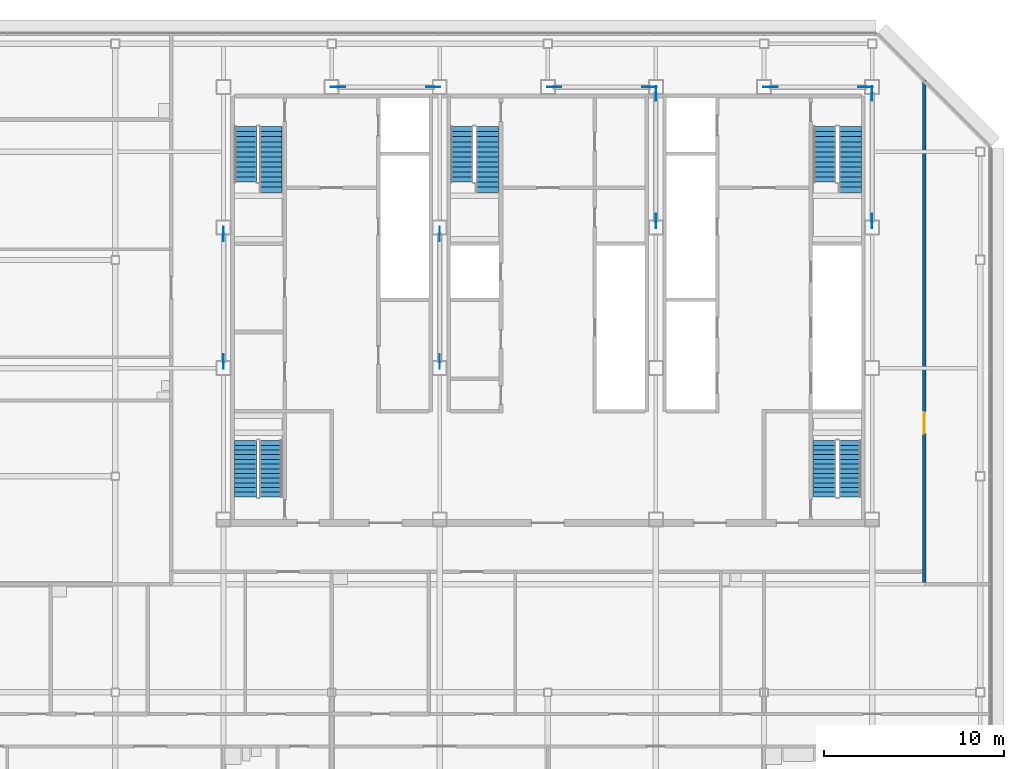
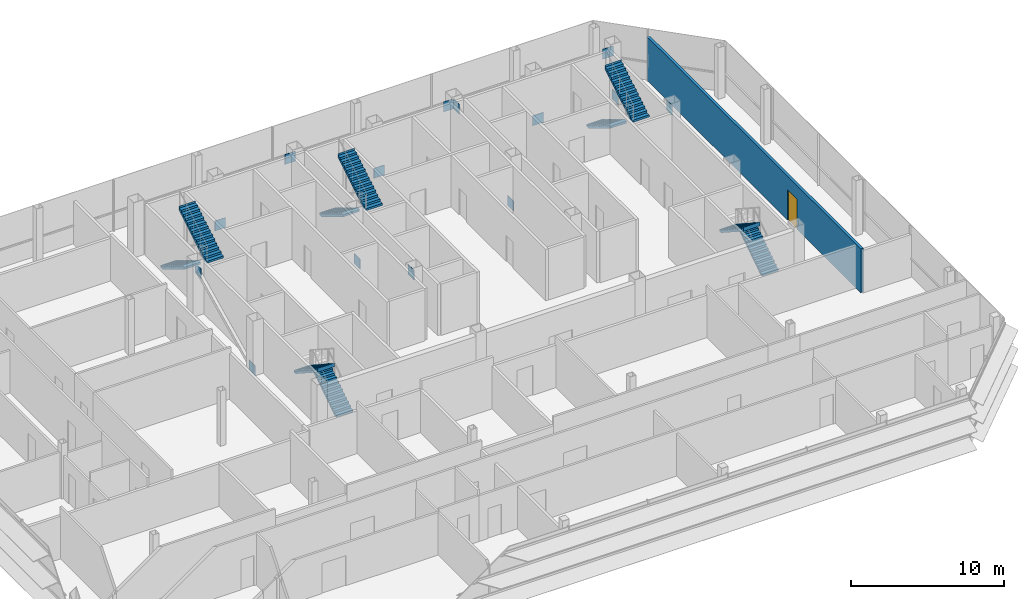
# One storey, part 25 of 29: 14 discrete accessories, 10 stair flights, 1 door, 1 wall, 1 opening, 5 elements without a shape of their own.
"""IFC4 building model written with IfcOpenShell, lengths in metres."""

from ifc_helpers import new_model, si_unit, direction, frame, frame_2d, origin, origin_2d, place, context, subcontext, project, spatial, polyline, rectangle, outline, extrude, material, layer, layer_set, type_object, element, fill, aggregate, save


model = new_model("IFC4")

# Units and contexts
model_context = context("Model", 3, precision=1e-05, world=origin(), true_north=direction((0.0, 1.0)))
body_context = subcontext(model_context, "Body", "Model", "MODEL_VIEW")
ifc_project = project(units=[si_unit("LENGTHUNIT", "METRE"), si_unit("AREAUNIT", "SQUARE_METRE"), si_unit("VOLUMEUNIT", "CUBIC_METRE"), si_unit("PLANEANGLEUNIT", "RADIAN"), si_unit("MASSUNIT", "GRAM", prefix="KILO")], contexts=[model_context])

# Site, building, storey
site_placement = place(None, origin())
site = spatial("IfcSite", under=ifc_project, at=site_placement, CompositionType="ELEMENT")
building_placement = place(site_placement, origin())
building = spatial("IfcBuilding", under=site, at=building_placement, Name="Sorahane Residences", CompositionType="ELEMENT")
storey_placement = place(building_placement, frame((0.0, 0.0, 326.800048828125)))
storey = spatial("IfcBuildingStorey", under=building, at=storey_placement, Name="L78", CompositionType="ELEMENT", Elevation=326.800048828125)

# Wall, opening, door
ifc_material_1 = material(Name="Concrete blockwork C20 wall", Category="masonry")
ifc_layer_1 = layer(ifc_material_1, 0.199951171875)
ifc_layer_set_1 = layer_set([ifc_layer_1], Name="Corridor wall 200 EI 120")
wall_type = type_object("IfcWallType", Name="Corridor wall 200 EI 120", PredefinedType="SOLIDWALL", material=ifc_layer_set_1)
wall_placement = place(storey_placement, frame((44.89990234375, 18.0, 0.0), z_axis=(0.0, 0.0, 1.0), x_axis=(0.0, 1.0, 0.0)))
wall = element("IfcWall", 1, at=wall_placement, inside=storey, type_object=wall_type, Name="L78 corridor wall", PredefinedType="SOLIDWALL", context=body_context, shape_type="SweptSolid", body=[
    extrude(rectangle(XDim=27.948974609375, YDim=0.199951171875, at=frame_2d((13.974609375, 0.0))), origin(), (0.0, 0.0, 1.0), 3.5),
])
opening_placement = place(wall_placement, frame((8.360107421875, 0.0, 0.0)))
opening = element("IfcOpeningElement", 2, at=opening_placement, cuts=wall, Name="Opening L78-41", PredefinedType="OPENING", context=body_context, shape_type="SweptSolid", body=[
    extrude(rectangle(XDim=1.199951171875, YDim=2.39990234375, at=frame_2d((0.60009765625, 1.199951171875))), frame((0.0, 0.10986328125, 0.0), z_axis=(0.0, -1.0, 0.0), x_axis=(1.0, 0.0, 0.0)), (0.0, 0.0, 1.0), 0.219970703125),
])
ifc_material_2 = material(Name="Steel", Category="steel")
door_type = type_object("IfcDoorType", Name="Lobby door 1200x2400 FD60", OperationType="NOTDEFINED", PredefinedType="DOOR", material=ifc_material_2)
door_placement = place(opening_placement, frame((1.199951171875, 0.0, 0.0), z_axis=(0.0, 0.0, 1.0), x_axis=(-1.0, 0.0, 0.0)))
door = element("IfcDoor", 3, at=door_placement, inside=storey, type_object=door_type, Name="Lobby door L78-41", OperationType="SINGLE_SWING_RIGHT", OverallHeight=2.39990234375, OverallWidth=1.199951171875, PredefinedType="DOOR", context=body_context, shape_type="SweptSolid", body=[
    extrude(rectangle(XDim=1.199951171875, YDim=2.39990234375, at=frame_2d((0.60009765625, 1.199951171875))), frame((0.0, 0.02490234375, 0.0), z_axis=(0.0, -1.0, 0.0), x_axis=(1.0, 0.0, 0.0)), (0.0, 0.0, 1.0), 0.050048828125),
])
fill(opening, door)

# Stair, stair flights
ifc_material_3 = material(Name="Concrete C40", Category="concrete")
stair_type = type_object("IfcStairType", Name="Dog-leg stair 1250 Concrete C40", PredefinedType="HALF_TURN_STAIR", material=ifc_material_3)
stair_1_placement = place(storey_placement, origin())
stair_1 = element("IfcStair", 4, at=stair_1_placement, inside=storey, type_object=stair_type, Name="L78 Stair S1", PredefinedType="HALF_TURN_STAIR")
ifc_material_4 = material(Name="Concrete C40", Category="concrete")
stair_flight_type = type_object("IfcStairFlightType", Name="Stair flight 1250 Concrete C40", PredefinedType="STRAIGHT", material=ifc_material_4)
stair_flight_1_placement = place(storey_placement, frame((7.22509765625, 43.39990234375, 0.0), z_axis=(0.0, 0.0, 1.0), x_axis=(0.0, -1.0, 0.0)))
stair_flight_1 = element("IfcStairFlight", 5, at=stair_flight_1_placement, type_object=stair_flight_type, Name="S1 flight 1", NumberOfRisers=12, NumberOfTreads=11, PredefinedType="STRAIGHT", RiserHeight=0.169230769, TreadLength=0.28, context=body_context, shape_type="SweptSolid", body=[
    extrude(outline(polyline([(-0.00146484375, 0.0), (-0.00146484375, 0.169189453125), (0.0, 0.169189453125), (0.280029296875, 0.169189453125), (0.280029296875, 0.33837890625), (0.56005859375, 0.33837890625), (0.56005859375, 0.5078125), (0.840087890625, 0.5078125), (0.840087890625, 0.677001953125), (1.1201171875, 0.677001953125), (1.1201171875, 0.84619140625), (1.39990234375, 0.84619140625), (1.39990234375, 1.015380859375), (1.679931640625, 1.015380859375), (1.679931640625, 1.1845703125), (1.9599609375, 1.1845703125), (1.9599609375, 1.353759765625), (2.239990234375, 1.353759765625), (2.239990234375, 1.523193359375), (2.52001953125, 1.523193359375), (2.52001953125, 1.6923828125), (2.800048828125, 1.6923828125), (2.800048828125, 1.861572265625), (3.080078125, 1.861572265625), (3.080078125, 2.03076171875), (3.080078125, 1.686279296875), (2.865478515625, 1.556640625), (2.650634765625, 1.427001953125), (2.43603515625, 1.297119140625), (2.221435546875, 1.16748046875), (2.0068359375, 1.037841796875), (1.792236328125, 0.907958984375), (1.57763671875, 0.7783203125), (1.363037109375, 0.648681640625), (1.1484375, 0.518798828125), (0.93359375, 0.38916015625), (0.718994140625, 0.259521484375), (0.50439453125, 0.129638671875), (0.289794921875, 0.0), (-0.00146484375, 0.0)])), frame((0.0, 0.625, 0.0), z_axis=(0.0, -1.0, 0.0), x_axis=(1.0, 0.0, 0.0)), (0.0, 0.0, 1.0), 1.25),
])
stair_flight_2_placement = place(storey_placement, frame((8.625, 39.760009765625, 2.03076171875), z_axis=(0.0, 0.0, 1.0), x_axis=(0.0, 1.0, 0.0)))
stair_flight_2 = element("IfcStairFlight", 6, at=stair_flight_2_placement, type_object=stair_flight_type, Name="S1 flight 2", NumberOfRisers=14, NumberOfTreads=13, PredefinedType="STRAIGHT", RiserHeight=0.169230769, TreadLength=0.28, context=body_context, shape_type="SweptSolid", body=[
    extrude(outline(polyline([(-0.00146484375, 0.0), (-0.00146484375, 0.169189453125), (0.0, 0.169189453125), (0.280029296875, 0.169189453125), (0.280029296875, 0.33837890625), (0.56005859375, 0.33837890625), (0.56005859375, 0.5078125), (0.840087890625, 0.5078125), (0.840087890625, 0.677001953125), (1.1201171875, 0.677001953125), (1.1201171875, 0.84619140625), (1.39990234375, 0.84619140625), (1.39990234375, 1.015380859375), (1.679931640625, 1.015380859375), (1.679931640625, 1.1845703125), (1.9599609375, 1.1845703125), (1.9599609375, 1.353759765625), (2.239990234375, 1.353759765625), (2.239990234375, 1.523193359375), (2.52001953125, 1.523193359375), (2.52001953125, 1.6923828125), (2.800048828125, 1.6923828125), (2.800048828125, 1.861572265625), (3.080078125, 1.861572265625), (3.080078125, 2.03076171875), (3.360107421875, 2.03076171875), (3.360107421875, 2.199951171875), (3.639892578125, 2.199951171875), (3.639892578125, 2.369140625), (3.6416015625, 2.369140625), (3.6416015625, 2.02490234375), (3.41796875, 1.889892578125), (3.194580078125, 1.7548828125), (2.97119140625, 1.619873046875), (2.747802734375, 1.48486328125), (2.524169921875, 1.349853515625), (2.30078125, 1.21484375), (2.077392578125, 1.079833984375), (1.85400390625, 0.94482421875), (1.63037109375, 0.81005859375), (1.406982421875, 0.675048828125), (1.18359375, 0.5400390625), (0.960205078125, 0.405029296875), (0.73681640625, 0.27001953125), (0.51318359375, 0.135009765625), (0.289794921875, 0.0), (-0.00146484375, 0.0)])), frame((0.0, 0.625, 0.0), z_axis=(0.0, -1.0, 0.0), x_axis=(1.0, 0.0, 0.0)), (0.0, 0.0, 1.0), 1.25),
])
aggregate(stair_1, [stair_flight_1, stair_flight_2])

stair_2_placement = place(storey_placement, origin())
stair_2 = element("IfcStair", 7, at=stair_2_placement, inside=storey, type_object=stair_type, Name="L78 Stair S2", PredefinedType="HALF_TURN_STAIR")
stair_flight_3_placement = place(storey_placement, frame((39.375, 43.39990234375, 0.0), z_axis=(0.0, 0.0, 1.0), x_axis=(0.0, -1.0, 0.0)))
stair_flight_3 = element("IfcStairFlight", 8, at=stair_flight_3_placement, type_object=stair_flight_type, Name="S2 flight 1", NumberOfRisers=12, NumberOfTreads=11, PredefinedType="STRAIGHT", RiserHeight=0.169230769, TreadLength=0.28, context=body_context, shape_type="SweptSolid", body=[
    extrude(outline(polyline([(-0.00146484375, 0.0), (-0.00146484375, 0.169189453125), (0.0, 0.169189453125), (0.280029296875, 0.169189453125), (0.280029296875, 0.33837890625), (0.56005859375, 0.33837890625), (0.56005859375, 0.5078125), (0.840087890625, 0.5078125), (0.840087890625, 0.677001953125), (1.1201171875, 0.677001953125), (1.1201171875, 0.84619140625), (1.39990234375, 0.84619140625), (1.39990234375, 1.015380859375), (1.679931640625, 1.015380859375), (1.679931640625, 1.1845703125), (1.9599609375, 1.1845703125), (1.9599609375, 1.353759765625), (2.239990234375, 1.353759765625), (2.239990234375, 1.523193359375), (2.52001953125, 1.523193359375), (2.52001953125, 1.6923828125), (2.800048828125, 1.6923828125), (2.800048828125, 1.861572265625), (3.080078125, 1.861572265625), (3.080078125, 2.03076171875), (3.080078125, 1.686279296875), (2.865478515625, 1.556640625), (2.650634765625, 1.427001953125), (2.43603515625, 1.297119140625), (2.221435546875, 1.16748046875), (2.0068359375, 1.037841796875), (1.792236328125, 0.907958984375), (1.57763671875, 0.7783203125), (1.363037109375, 0.648681640625), (1.1484375, 0.518798828125), (0.93359375, 0.38916015625), (0.718994140625, 0.259521484375), (0.50439453125, 0.129638671875), (0.289794921875, 0.0), (-0.00146484375, 0.0)])), frame((0.0, 0.625, 0.0), z_axis=(0.0, -1.0, 0.0), x_axis=(1.0, 0.0, 0.0)), (0.0, 0.0, 1.0), 1.25),
])
stair_flight_4_placement = place(storey_placement, frame((40.77490234375, 39.760009765625, 2.03076171875), z_axis=(0.0, 0.0, 1.0), x_axis=(0.0, 1.0, 0.0)))
stair_flight_4 = element("IfcStairFlight", 9, at=stair_flight_4_placement, type_object=stair_flight_type, Name="S2 flight 2", NumberOfRisers=14, NumberOfTreads=13, PredefinedType="STRAIGHT", RiserHeight=0.169230769, TreadLength=0.28, context=body_context, shape_type="SweptSolid", body=[
    extrude(outline(polyline([(-0.00146484375, 0.0), (-0.00146484375, 0.169189453125), (0.0, 0.169189453125), (0.280029296875, 0.169189453125), (0.280029296875, 0.33837890625), (0.56005859375, 0.33837890625), (0.56005859375, 0.5078125), (0.840087890625, 0.5078125), (0.840087890625, 0.677001953125), (1.1201171875, 0.677001953125), (1.1201171875, 0.84619140625), (1.39990234375, 0.84619140625), (1.39990234375, 1.015380859375), (1.679931640625, 1.015380859375), (1.679931640625, 1.1845703125), (1.9599609375, 1.1845703125), (1.9599609375, 1.353759765625), (2.239990234375, 1.353759765625), (2.239990234375, 1.523193359375), (2.52001953125, 1.523193359375), (2.52001953125, 1.6923828125), (2.800048828125, 1.6923828125), (2.800048828125, 1.861572265625), (3.080078125, 1.861572265625), (3.080078125, 2.03076171875), (3.360107421875, 2.03076171875), (3.360107421875, 2.199951171875), (3.639892578125, 2.199951171875), (3.639892578125, 2.369140625), (3.6416015625, 2.369140625), (3.6416015625, 2.02490234375), (3.41796875, 1.889892578125), (3.194580078125, 1.7548828125), (2.97119140625, 1.619873046875), (2.747802734375, 1.48486328125), (2.524169921875, 1.349853515625), (2.30078125, 1.21484375), (2.077392578125, 1.079833984375), (1.85400390625, 0.94482421875), (1.63037109375, 0.81005859375), (1.406982421875, 0.675048828125), (1.18359375, 0.5400390625), (0.960205078125, 0.405029296875), (0.73681640625, 0.27001953125), (0.51318359375, 0.135009765625), (0.289794921875, 0.0), (-0.00146484375, 0.0)])), frame((0.0, 0.625, 0.0), z_axis=(0.0, -1.0, 0.0), x_axis=(1.0, 0.0, 0.0)), (0.0, 0.0, 1.0), 1.25),
])
aggregate(stair_2, [stair_flight_3, stair_flight_4])

stair_3_placement = place(storey_placement, origin())
stair_3 = element("IfcStair", 10, at=stair_3_placement, inside=storey, type_object=stair_type, Name="L78 Stair S3", PredefinedType="HALF_TURN_STAIR")
stair_flight_5_placement = place(storey_placement, frame((19.22509765625, 43.39990234375, 0.0), z_axis=(0.0, 0.0, 1.0), x_axis=(0.0, -1.0, 0.0)))
stair_flight_5 = element("IfcStairFlight", 11, at=stair_flight_5_placement, type_object=stair_flight_type, Name="S3 flight 1", NumberOfRisers=12, NumberOfTreads=11, PredefinedType="STRAIGHT", RiserHeight=0.169230769, TreadLength=0.28, context=body_context, shape_type="SweptSolid", body=[
    extrude(outline(polyline([(-0.00146484375, 0.0), (-0.00146484375, 0.169189453125), (0.0, 0.169189453125), (0.280029296875, 0.169189453125), (0.280029296875, 0.33837890625), (0.56005859375, 0.33837890625), (0.56005859375, 0.5078125), (0.840087890625, 0.5078125), (0.840087890625, 0.677001953125), (1.1201171875, 0.677001953125), (1.1201171875, 0.84619140625), (1.39990234375, 0.84619140625), (1.39990234375, 1.015380859375), (1.679931640625, 1.015380859375), (1.679931640625, 1.1845703125), (1.9599609375, 1.1845703125), (1.9599609375, 1.353759765625), (2.239990234375, 1.353759765625), (2.239990234375, 1.523193359375), (2.52001953125, 1.523193359375), (2.52001953125, 1.6923828125), (2.800048828125, 1.6923828125), (2.800048828125, 1.861572265625), (3.080078125, 1.861572265625), (3.080078125, 2.03076171875), (3.080078125, 1.686279296875), (2.865478515625, 1.556640625), (2.650634765625, 1.427001953125), (2.43603515625, 1.297119140625), (2.221435546875, 1.16748046875), (2.0068359375, 1.037841796875), (1.792236328125, 0.907958984375), (1.57763671875, 0.7783203125), (1.363037109375, 0.648681640625), (1.1484375, 0.518798828125), (0.93359375, 0.38916015625), (0.718994140625, 0.259521484375), (0.50439453125, 0.129638671875), (0.289794921875, 0.0), (-0.00146484375, 0.0)])), frame((0.0, 0.625, 0.0), z_axis=(0.0, -1.0, 0.0), x_axis=(1.0, 0.0, 0.0)), (0.0, 0.0, 1.0), 1.25),
])
stair_flight_6_placement = place(storey_placement, frame((20.625, 39.760009765625, 2.03076171875), z_axis=(0.0, 0.0, 1.0), x_axis=(0.0, 1.0, 0.0)))
stair_flight_6 = element("IfcStairFlight", 12, at=stair_flight_6_placement, type_object=stair_flight_type, Name="S3 flight 2", NumberOfRisers=14, NumberOfTreads=13, PredefinedType="STRAIGHT", RiserHeight=0.169230769, TreadLength=0.28, context=body_context, shape_type="SweptSolid", body=[
    extrude(outline(polyline([(-0.00146484375, 0.0), (-0.00146484375, 0.169189453125), (0.0, 0.169189453125), (0.280029296875, 0.169189453125), (0.280029296875, 0.33837890625), (0.56005859375, 0.33837890625), (0.56005859375, 0.5078125), (0.840087890625, 0.5078125), (0.840087890625, 0.677001953125), (1.1201171875, 0.677001953125), (1.1201171875, 0.84619140625), (1.39990234375, 0.84619140625), (1.39990234375, 1.015380859375), (1.679931640625, 1.015380859375), (1.679931640625, 1.1845703125), (1.9599609375, 1.1845703125), (1.9599609375, 1.353759765625), (2.239990234375, 1.353759765625), (2.239990234375, 1.523193359375), (2.52001953125, 1.523193359375), (2.52001953125, 1.6923828125), (2.800048828125, 1.6923828125), (2.800048828125, 1.861572265625), (3.080078125, 1.861572265625), (3.080078125, 2.03076171875), (3.360107421875, 2.03076171875), (3.360107421875, 2.199951171875), (3.639892578125, 2.199951171875), (3.639892578125, 2.369140625), (3.6416015625, 2.369140625), (3.6416015625, 2.02490234375), (3.41796875, 1.889892578125), (3.194580078125, 1.7548828125), (2.97119140625, 1.619873046875), (2.747802734375, 1.48486328125), (2.524169921875, 1.349853515625), (2.30078125, 1.21484375), (2.077392578125, 1.079833984375), (1.85400390625, 0.94482421875), (1.63037109375, 0.81005859375), (1.406982421875, 0.675048828125), (1.18359375, 0.5400390625), (0.960205078125, 0.405029296875), (0.73681640625, 0.27001953125), (0.51318359375, 0.135009765625), (0.289794921875, 0.0), (-0.00146484375, 0.0)])), frame((0.0, 0.625, 0.0), z_axis=(0.0, -1.0, 0.0), x_axis=(1.0, 0.0, 0.0)), (0.0, 0.0, 1.0), 1.25),
])
aggregate(stair_3, [stair_flight_5, stair_flight_6])

stair_4_placement = place(storey_placement, origin())
stair_4 = element("IfcStair", 13, at=stair_4_placement, inside=storey, type_object=stair_type, Name="L78 Stair S4", PredefinedType="HALF_TURN_STAIR")
stair_flight_7_placement = place(storey_placement, frame((8.625, 22.85009765625, 0.0), z_axis=(0.0, 0.0, 1.0), x_axis=(0.0, 1.0, 0.0)))
stair_flight_7 = element("IfcStairFlight", 14, at=stair_flight_7_placement, type_object=stair_flight_type, Name="S4 flight 1", NumberOfRisers=13, NumberOfTreads=12, PredefinedType="STRAIGHT", RiserHeight=0.169230769, TreadLength=0.26, context=body_context, shape_type="SweptSolid", body=[
    extrude(outline(polyline([(-0.00146484375, 0.0), (-0.00146484375, 0.169189453125), (0.0, 0.169189453125), (0.260009765625, 0.169189453125), (0.260009765625, 0.33837890625), (0.52001953125, 0.33837890625), (0.52001953125, 0.5078125), (0.780029296875, 0.5078125), (0.780029296875, 0.677001953125), (1.0400390625, 0.677001953125), (1.0400390625, 0.84619140625), (1.300048828125, 0.84619140625), (1.300048828125, 1.015380859375), (1.56005859375, 1.015380859375), (1.56005859375, 1.1845703125), (1.820068359375, 1.1845703125), (1.820068359375, 1.353759765625), (2.080078125, 1.353759765625), (2.080078125, 1.523193359375), (2.340087890625, 1.523193359375), (2.340087890625, 1.6923828125), (2.60009765625, 1.6923828125), (2.60009765625, 1.861572265625), (2.860107421875, 1.861572265625), (2.860107421875, 2.03076171875), (3.1201171875, 2.03076171875), (3.1201171875, 2.199951171875), (3.1201171875, 1.887451171875), (2.912841796875, 1.752685546875), (2.705810546875, 1.617919921875), (2.49853515625, 1.48291015625), (2.29150390625, 1.34814453125), (2.08447265625, 1.21337890625), (1.877197265625, 1.07861328125), (1.670166015625, 0.943603515625), (1.462890625, 0.808837890625), (1.255859375, 0.674072265625), (1.048828125, 0.539306640625), (0.841552734375, 0.404541015625), (0.634521484375, 0.26953125), (0.42724609375, 0.134765625), (0.22021484375, 0.0), (-0.00146484375, 0.0)])), frame((0.0, 0.625, 0.0), z_axis=(0.0, -1.0, 0.0), x_axis=(1.0, 0.0, 0.0)), (0.0, 0.0, 1.0), 1.25),
])
stair_flight_8_placement = place(storey_placement, frame((7.22509765625, 25.969970703125, 2.199951171875), z_axis=(0.0, 0.0, 1.0), x_axis=(0.0, -1.0, 0.0)))
stair_flight_8 = element("IfcStairFlight", 15, at=stair_flight_8_placement, type_object=stair_flight_type, Name="S4 flight 2", NumberOfRisers=13, NumberOfTreads=12, PredefinedType="STRAIGHT", RiserHeight=0.169230769, TreadLength=0.26, context=body_context, shape_type="SweptSolid", body=[
    extrude(outline(polyline([(0.0, 0.0), (0.0, 0.169189453125), (0.260009765625, 0.169189453125), (0.260009765625, 0.33837890625), (0.52001953125, 0.33837890625), (0.52001953125, 0.5078125), (0.780029296875, 0.5078125), (0.780029296875, 0.677001953125), (1.0400390625, 0.677001953125), (1.0400390625, 0.84619140625), (1.300048828125, 0.84619140625), (1.300048828125, 1.015380859375), (1.56005859375, 1.015380859375), (1.56005859375, 1.1845703125), (1.820068359375, 1.1845703125), (1.820068359375, 1.353759765625), (2.080078125, 1.353759765625), (2.080078125, 1.523193359375), (2.340087890625, 1.523193359375), (2.340087890625, 1.6923828125), (2.60009765625, 1.6923828125), (2.60009765625, 1.861572265625), (2.860107421875, 1.861572265625), (2.860107421875, 2.03076171875), (3.1201171875, 2.03076171875), (3.1201171875, 2.199951171875), (3.12158203125, 2.199951171875), (3.12158203125, 1.887451171875), (2.914306640625, 1.752685546875), (2.70703125, 1.617919921875), (2.499755859375, 1.48291015625), (2.29248046875, 1.34814453125), (2.085205078125, 1.21337890625), (1.878173828125, 1.07861328125), (1.6708984375, 0.943603515625), (1.463623046875, 0.808837890625), (1.25634765625, 0.674072265625), (1.049072265625, 0.539306640625), (0.841796875, 0.404541015625), (0.634765625, 0.26953125), (0.427490234375, 0.134765625), (0.22021484375, 0.0), (0.0, 0.0)])), frame((0.0, 0.625, 0.0), z_axis=(0.0, -1.0, 0.0), x_axis=(1.0, 0.0, 0.0)), (0.0, 0.0, 1.0), 1.25),
])
aggregate(stair_4, [stair_flight_7, stair_flight_8])

stair_5_placement = place(storey_placement, origin())
stair_5 = element("IfcStair", 16, at=stair_5_placement, inside=storey, type_object=stair_type, Name="L78 Stair S5", PredefinedType="HALF_TURN_STAIR")
stair_flight_9_placement = place(storey_placement, frame((40.77490234375, 22.85009765625, 0.0), z_axis=(0.0, 0.0, 1.0), x_axis=(0.0, 1.0, 0.0)))
stair_flight_9 = element("IfcStairFlight", 17, at=stair_flight_9_placement, type_object=stair_flight_type, Name="S5 flight 1", NumberOfRisers=13, NumberOfTreads=12, PredefinedType="STRAIGHT", RiserHeight=0.169230769, TreadLength=0.26, context=body_context, shape_type="SweptSolid", body=[
    extrude(outline(polyline([(-0.00146484375, 0.0), (-0.00146484375, 0.169189453125), (0.0, 0.169189453125), (0.260009765625, 0.169189453125), (0.260009765625, 0.33837890625), (0.52001953125, 0.33837890625), (0.52001953125, 0.5078125), (0.780029296875, 0.5078125), (0.780029296875, 0.677001953125), (1.0400390625, 0.677001953125), (1.0400390625, 0.84619140625), (1.300048828125, 0.84619140625), (1.300048828125, 1.015380859375), (1.56005859375, 1.015380859375), (1.56005859375, 1.1845703125), (1.820068359375, 1.1845703125), (1.820068359375, 1.353759765625), (2.080078125, 1.353759765625), (2.080078125, 1.523193359375), (2.340087890625, 1.523193359375), (2.340087890625, 1.6923828125), (2.60009765625, 1.6923828125), (2.60009765625, 1.861572265625), (2.860107421875, 1.861572265625), (2.860107421875, 2.03076171875), (3.1201171875, 2.03076171875), (3.1201171875, 2.199951171875), (3.1201171875, 1.887451171875), (2.912841796875, 1.752685546875), (2.705810546875, 1.617919921875), (2.49853515625, 1.48291015625), (2.29150390625, 1.34814453125), (2.08447265625, 1.21337890625), (1.877197265625, 1.07861328125), (1.670166015625, 0.943603515625), (1.462890625, 0.808837890625), (1.255859375, 0.674072265625), (1.048828125, 0.539306640625), (0.841552734375, 0.404541015625), (0.634521484375, 0.26953125), (0.42724609375, 0.134765625), (0.22021484375, 0.0), (-0.00146484375, 0.0)])), frame((0.0, 0.625, 0.0), z_axis=(0.0, -1.0, 0.0), x_axis=(1.0, 0.0, 0.0)), (0.0, 0.0, 1.0), 1.25),
])
stair_flight_10_placement = place(storey_placement, frame((39.375, 25.969970703125, 2.199951171875), z_axis=(0.0, 0.0, 1.0), x_axis=(0.0, -1.0, 0.0)))
stair_flight_10 = element("IfcStairFlight", 18, at=stair_flight_10_placement, type_object=stair_flight_type, Name="S5 flight 2", NumberOfRisers=13, NumberOfTreads=12, PredefinedType="STRAIGHT", RiserHeight=0.169230769, TreadLength=0.26, context=body_context, shape_type="SweptSolid", body=[
    extrude(outline(polyline([(0.0, 0.0), (0.0, 0.169189453125), (0.260009765625, 0.169189453125), (0.260009765625, 0.33837890625), (0.52001953125, 0.33837890625), (0.52001953125, 0.5078125), (0.780029296875, 0.5078125), (0.780029296875, 0.677001953125), (1.0400390625, 0.677001953125), (1.0400390625, 0.84619140625), (1.300048828125, 0.84619140625), (1.300048828125, 1.015380859375), (1.56005859375, 1.015380859375), (1.56005859375, 1.1845703125), (1.820068359375, 1.1845703125), (1.820068359375, 1.353759765625), (2.080078125, 1.353759765625), (2.080078125, 1.523193359375), (2.340087890625, 1.523193359375), (2.340087890625, 1.6923828125), (2.60009765625, 1.6923828125), (2.60009765625, 1.861572265625), (2.860107421875, 1.861572265625), (2.860107421875, 2.03076171875), (3.1201171875, 2.03076171875), (3.1201171875, 2.199951171875), (3.12158203125, 2.199951171875), (3.12158203125, 1.887451171875), (2.914306640625, 1.752685546875), (2.70703125, 1.617919921875), (2.499755859375, 1.48291015625), (2.29248046875, 1.34814453125), (2.085205078125, 1.21337890625), (1.878173828125, 1.07861328125), (1.6708984375, 0.943603515625), (1.463623046875, 0.808837890625), (1.25634765625, 0.674072265625), (1.049072265625, 0.539306640625), (0.841796875, 0.404541015625), (0.634765625, 0.26953125), (0.427490234375, 0.134765625), (0.22021484375, 0.0), (0.0, 0.0)])), frame((0.0, 0.625, 0.0), z_axis=(0.0, -1.0, 0.0), x_axis=(1.0, 0.0, 0.0)), (0.0, 0.0, 1.0), 1.25),
])
aggregate(stair_5, [stair_flight_9, stair_flight_10])

# Discrete accessories
ifc_material_5 = material(Name="Steel Q355B", Category="steel")
ifc_layer_2 = layer(ifc_material_5, 0.02490234375)
ifc_layer_set_2 = layer_set([ifc_layer_2], Name="Node plate Steel Q355B 25")
discrete_accessory_type = type_object("IfcDiscreteAccessoryType", Name="Node plate Steel Q355B 25", PredefinedType="BRACKET", material=ifc_layer_set_2)
for number, where, z_axis, x_axis, name in (
    (19, (6.0, 30.3671875, -0.291015625), (0.0, 0.0, 1.0), (0.0, 1.0, 0.0), "Node plate L78 br"),
    (20, (6.0, 37.432861328125, 3.140625), (0.0, 0.0, 1.0), (0.0, 1.0, 0.0), "Node plate L78 br"),
    (21, (18.0, 37.432861328125, -0.291015625), (0.0, 0.0, 1.0), (0.0, 1.0, 0.0), "Node plate L78 br"),
    (22, (18.0, 30.3671875, 3.140625), (0.0, 0.0, 1.0), (0.0, 1.0, 0.0), "Node plate L78 br"),
    (23, (30.0, 38.167236328125, -0.291015625), (0.0, 0.0, 1.0), (0.0, 1.0, 0.0), "Node plate L78 br"),
    (24, (30.0, 45.23291015625, 3.140625), (0.0, 0.0, 1.0), (0.0, 1.0, 0.0), "Node plate L78 br"),
    (25, (42.0, 45.23291015625, -0.291015625), (0.0, 0.0, 1.0), (0.0, 1.0, 0.0), "Node plate L78 br"),
    (26, (42.0, 38.167236328125, 3.140625), (0.0, 0.0, 1.0), (0.0, 1.0, 0.0), "Node plate L78 br"),
    (27, (12.35888671875, 45.60009765625, -0.3017578125), (0.0, 0.0, 1.0), (1.0, 0.0, 0.0), "Node plate L78 br"),
    (28, (24.35888671875, 45.60009765625, -0.3017578125), (0.0, 0.0, 1.0), (1.0, 0.0, 0.0), "Node plate L78 br"),
    (29, (36.35888671875, 45.60009765625, -0.3017578125), (0.0, 0.0, 1.0), (1.0, 0.0, 0.0), "Node plate L78 br"),
    (30, (17.64111328125, 45.60009765625, 3.15185546875), (0.0, 0.0, 1.0), (1.0, 0.0, 0.0), "Node plate L78 br"),
    (31, (29.64111328125, 45.60009765625, 3.15185546875), (0.0, 0.0, 1.0), (1.0, 0.0, 0.0), "Node plate L78 br"),
    (32, (41.64111328125, 45.60009765625, 3.15185546875), (0.0, 0.0, 1.0), (1.0, 0.0, 0.0), "Node plate L78 br"),
):
    element("IfcDiscreteAccessory", number, at=place(storey_placement, frame(where, z_axis=z_axis, x_axis=x_axis)), inside=storey, type_object=discrete_accessory_type, Name=name, PredefinedType="BRACKET", context=body_context, shape_type="SweptSolid", body=[
        extrude(rectangle(XDim=0.800048828125, YDim=0.02490234375, at=origin_2d()), origin(), (0.0, 0.0, 1.0), 0.800048828125),
    ])

save(model, "model.ifc")
